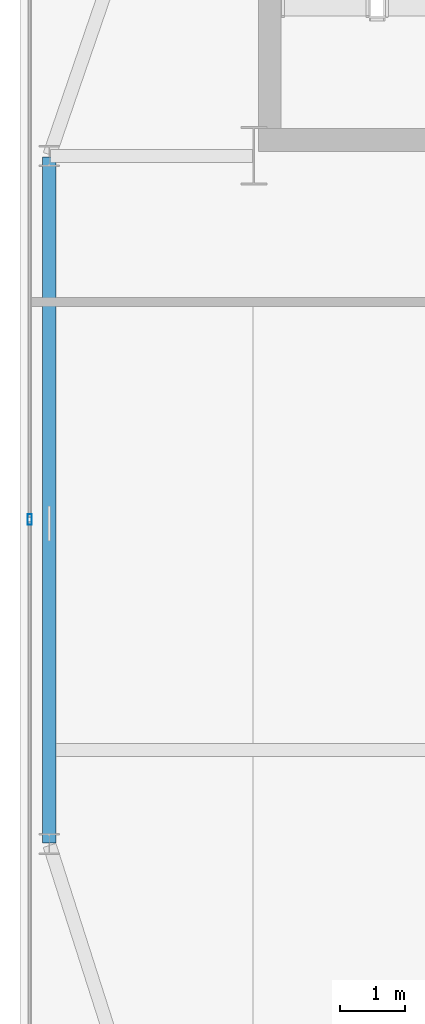
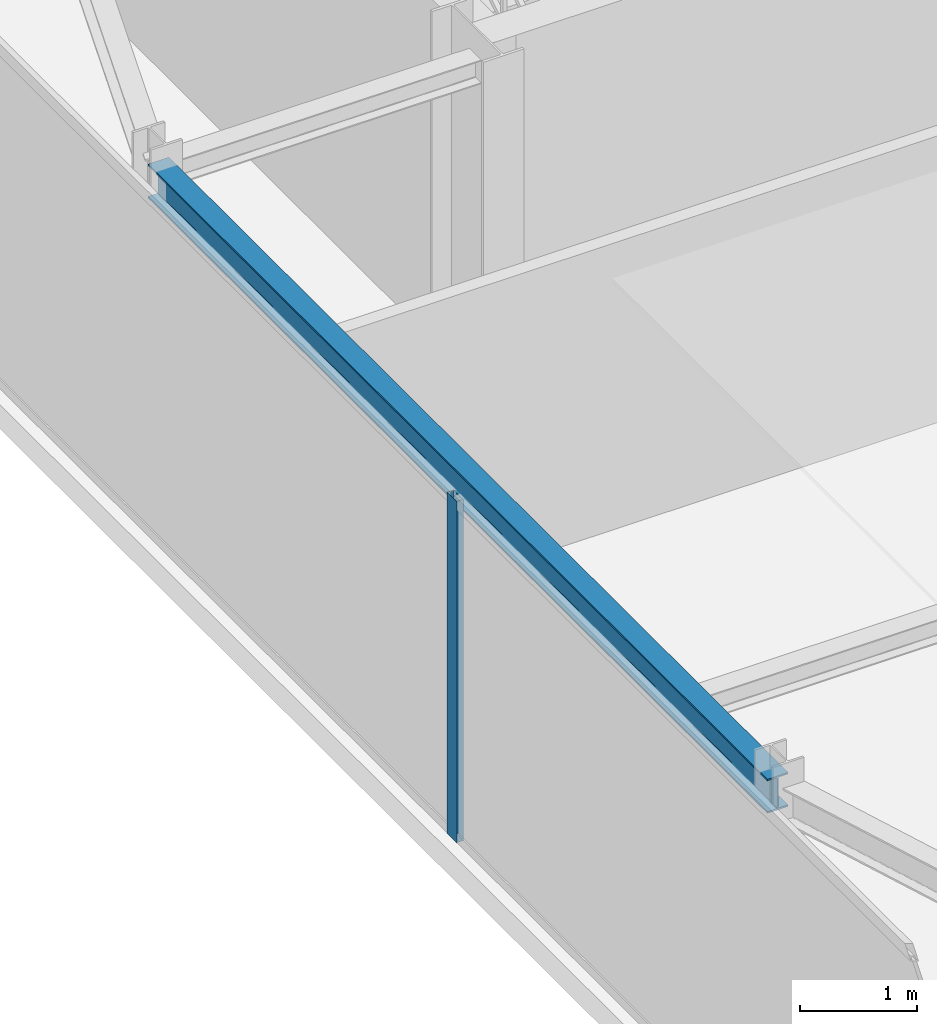
# One storey, part 9 of 24: 1 beam, 1 member, 1 element without a shape of its own.
"""IFC4 building model written with IfcOpenShell, lengths in metres."""

import ifcopenshell
import ifcopenshell.guid

model = None  # the IFC model being written
_history = None  # IfcOwnerHistory: only IFC2X3 demands one
_inside = {}  # id of a spatial element -> (the spatial element, [elements in it])
_under = {}  # id of a project, library or spatial element -> (it, [spatial elements below it])
_declared = {}  # id of a project -> (the project, [libraries it declares])
_typed = {}  # id of a type object -> (the type object, [elements of that type])
_made_of = {}  # id of a material, layer set ... -> (it, [elements and type objects made of it])


def new_model(schema):
    """Start an empty IFC model of exactly this schema.

    Asked for "IFC4X3", IfcOpenShell would pick the latest addendum, in which some entities
    have other attributes; the version numbers below select the first issue.
    IFC2X3 requires an IfcOwnerHistory on every rooted entity: one is made here for all.
    """
    global model, _history
    if schema == "IFC4X3":
        model = ifcopenshell.file(schema_version=(4, 3, 0, 0))
    else:
        model = ifcopenshell.file(schema=schema)
    _inside.clear()
    _under.clear()
    _declared.clear()
    _typed.clear()
    _made_of.clear()
    _history = None
    if model.schema == "IFC2X3":
        org = make("IfcOrganization", Name="unknown")
        user = make(
            "IfcPersonAndOrganization",
            ThePerson=make("IfcPerson", FamilyName="unknown"),
            TheOrganization=org,
        )
        app = make(
            "IfcApplication",
            ApplicationDeveloper=org,
            Version="unknown",
            ApplicationFullName="unknown",
            ApplicationIdentifier="unknown",
        )
        _history = make(
            "IfcOwnerHistory",
            OwningUser=user,
            OwningApplication=app,
            ChangeAction="ADDED",
            CreationDate=0,
        )
    return model


def make(cls, **values):
    """One entity of the class cls with the attributes given. An attribute that is None is left unset."""
    return model.create_entity(
        cls, **{name: value for name, value in values.items() if value is not None}
    )


def rooted(cls, **values):
    """An entity with a GlobalId (a new one), such as an element, a storey or a relation."""
    return make(cls, GlobalId=ifcopenshell.guid.new(), OwnerHistory=_history, **values)


def si_unit(unit_type, name, prefix=None):
    """IfcSIUnit, for example si_unit("LENGTHUNIT", "METRE", prefix="MILLI")."""
    return make("IfcSIUnit", UnitType=unit_type, Prefix=prefix, Name=name)


def assignment(units):
    """IfcUnitAssignment: the units of a project."""
    return None if units is None else make("IfcUnitAssignment", Units=units)


def point(xyz):
    """IfcCartesianPoint."""
    return None if xyz is None else make("IfcCartesianPoint", Coordinates=xyz)


def direction(xyz):
    """IfcDirection."""
    return None if xyz is None else make("IfcDirection", DirectionRatios=xyz)


def frame(location, z_axis=None, x_axis=None):
    """IfcAxis2Placement3D, a coordinate frame: its origin and axes. An axis left out is left unset."""
    return make(
        "IfcAxis2Placement3D",
        Location=point(location),
        Axis=direction(z_axis),
        RefDirection=direction(x_axis),
    )


def frame_2d(location, x_axis=None):
    """IfcAxis2Placement2D, a coordinate frame in the plane: its origin and x axis."""
    return make(
        "IfcAxis2Placement2D", Location=point(location), RefDirection=direction(x_axis)
    )


def origin():
    """The frame at (0, 0, 0) with its axes left unset."""
    return frame((0.0, 0.0, 0.0))


def origin_2d():
    """The frame at (0, 0) in the plane with its x axis left unset."""
    return frame_2d((0.0, 0.0))


def place(relative_to, where):
    """IfcLocalPlacement: puts the frame where relative to a parent placement (None: the world)."""
    return make(
        "IfcLocalPlacement", PlacementRelTo=relative_to, RelativePlacement=where
    )


def context(
    kind, dimensions, precision=None, world=None, true_north=None, identifier=None
):
    """IfcGeometricRepresentationContext, for example the 3D "Model" context."""
    return make(
        "IfcGeometricRepresentationContext",
        ContextIdentifier=identifier,
        ContextType=kind,
        CoordinateSpaceDimension=dimensions,
        Precision=precision,
        WorldCoordinateSystem=world,
        TrueNorth=true_north,
    )


def subcontext(parent, identifier, kind, view, scale=None):
    """IfcGeometricRepresentationSubContext, for example "Body" below "Model"."""
    return make(
        "IfcGeometricRepresentationSubContext",
        ContextIdentifier=identifier,
        ContextType=kind,
        ParentContext=parent,
        TargetScale=scale,
        TargetView=view,
    )


def project(units=None, contexts=None):
    """IfcProject with its units and contexts."""
    return rooted(
        "IfcProject",
        Name="project",
        RepresentationContexts=contexts,
        UnitsInContext=assignment(units),
    )


def spatial(cls, under=None, at=None, **own):
    """A site, building, storey or space (cls), placed at a placement, below another one or the project."""
    s = rooted(cls, ObjectPlacement=at, **own)
    if under is not None:
        _under.setdefault(under.id(), (under, []))[1].append(s)
    return s


def profile(cls, at=None, kind="AREA", **sizes):
    """A parametric profile (cls). Its sizes go by their IFC names, for example OverallWidth=200.0."""
    return make(cls, ProfileType=kind, Position=at, **sizes)


def hollow_rectangle(**sizes):
    """IfcRectangleHollowProfileDef."""
    return profile("IfcRectangleHollowProfileDef", **sizes)


def i_section(**sizes):
    """IfcIShapeProfileDef."""
    return profile("IfcIShapeProfileDef", **sizes)


def extrude(swept, where, along, depth):
    """IfcExtrudedAreaSolid: the profile swept, set in the frame where, extruded along a direction by depth."""
    return make(
        "IfcExtrudedAreaSolid",
        SweptArea=swept,
        Position=where,
        ExtrudedDirection=direction(along),
        Depth=depth,
    )


def shape(context_of_items, identifier, shape_type, items):
    """IfcShapeRepresentation: the items that make up one representation, for example the "Body"."""
    return make(
        "IfcShapeRepresentation",
        ContextOfItems=context_of_items,
        RepresentationIdentifier=identifier,
        RepresentationType=shape_type,
        Items=items,
    )


def source(mapping_origin, context_of_items, identifier, shape_type, items):
    """IfcRepresentationMap: a shape defined once, which mapped items show again and again."""
    return make(
        "IfcRepresentationMap",
        MappingOrigin=mapping_origin,
        MappedRepresentation=shape(context_of_items, identifier, shape_type, items),
    )


def transform(
    local_origin,
    x_axis=None,
    y_axis=None,
    z_axis=None,
    scale=None,
    scale2=None,
    scale3=None,
    uniform=True,
):
    """IfcCartesianTransformationOperator3D, or its non-uniform kind. x_axis, y_axis, z_axis: its Axis1, 2, 3."""
    if uniform:
        return make(
            "IfcCartesianTransformationOperator3D",
            Axis1=direction(x_axis),
            Axis2=direction(y_axis),
            LocalOrigin=point(local_origin),
            Scale=scale,
            Axis3=direction(z_axis),
        )
    return make(
        "IfcCartesianTransformationOperator3DnonUniform",
        Axis1=direction(x_axis),
        Axis2=direction(y_axis),
        LocalOrigin=point(local_origin),
        Scale=scale,
        Axis3=direction(z_axis),
        Scale2=scale2,
        Scale3=scale3,
    )


def mapped(mapping_source, mapping_target):
    """IfcMappedItem: shows the shape of a source again, moved by a transform."""
    return make(
        "IfcMappedItem", MappingSource=mapping_source, MappingTarget=mapping_target
    )


def material(Name=None, Category=None):
    """IfcMaterial."""
    return make("IfcMaterial", Name=Name, Category=Category)


def layer(
    of_material, thickness, ventilated=None, Name=None, Category=None, Priority=None
):
    """IfcMaterialLayer: one layer of a wall or slab, of a material (None: an air gap)."""
    return make(
        "IfcMaterialLayer",
        Material=of_material,
        LayerThickness=thickness,
        IsVentilated=ventilated,
        Name=Name,
        Category=Category,
        Priority=Priority,
    )


def layer_set(layers, Name=None):
    """IfcMaterialLayerSet."""
    return make("IfcMaterialLayerSet", MaterialLayers=layers, LayerSetName=Name)


def material_profile(
    of_material, cross_section, Name=None, Category=None, Priority=None
):
    """IfcMaterialProfile: a cross section and its material."""
    return make(
        "IfcMaterialProfile",
        Name=Name,
        Material=of_material,
        Profile=cross_section,
        Priority=Priority,
        Category=Category,
    )


def profile_set(profiles, Name=None, composite=None):
    """IfcMaterialProfileSet."""
    return make(
        "IfcMaterialProfileSet",
        Name=Name,
        MaterialProfiles=profiles,
        CompositeProfile=composite,
    )


def made_of(thing, what):
    """Note that an element or type object is made of a material, layer set ...; save() writes the relation."""
    if what is not None:
        _made_of.setdefault(what.id(), (what, []))[1].append(thing)
    return thing


def type_object(cls, material=None, **own):
    """A type object (cls), such as IfcWallType, which elements share."""
    return made_of(rooted(cls, **own), material)


def type_shapes(of_type, sources):
    """Give a type object the sources (RepresentationMaps) that its elements show as mapped items."""
    of_type.RepresentationMaps = sources


def element(
    cls,
    number,
    at=None,
    inside=None,
    cuts=None,
    type_object=None,
    material=None,
    context=None,
    identifier="Body",
    shape_type=None,
    held_by="IfcProductDefinitionShape",
    body=None,
    shapes=None,
    **own,
):
    """One element of the class cls, such as IfcWall. Its Tag is "e" and its number.

    at: its placement. inside: the storey or other place that contains it. cuts: it is an
    opening in that element (IfcRelVoidsElement). A single representation is given by context,
    identifier, shape_type and body (its items); several are given by shapes. held_by: the class
    of the entity that holds the representations. save() writes the other relations.
    """
    e = rooted(cls, Tag="e%d" % number, ObjectPlacement=at, **own)
    if body is not None:
        shapes = [shape(context, identifier, shape_type, body)]
    if shapes is not None:
        e.Representation = make(held_by, Representations=shapes)
    if inside is not None:
        _inside.setdefault(inside.id(), (inside, []))[1].append(e)
    if cuts is not None:
        rooted(
            "IfcRelVoidsElement", RelatingBuildingElement=cuts, RelatedOpeningElement=e
        )
    if type_object is not None:
        _typed.setdefault(type_object.id(), (type_object, []))[1].append(e)
    return made_of(e, material)


def aggregate(whole, parts):
    """IfcRelAggregates: a whole, such as a stair, and the parts it consists of."""
    return rooted("IfcRelAggregates", RelatingObject=whole, RelatedObjects=parts)


def save(model, path):
    """Write the relations noted so far, then the file.

    IfcRelAggregates (storeys below a building ...), IfcRelContainedInSpatialStructure (elements
    in a storey), IfcRelDefinesByType, IfcRelAssociatesMaterial and IfcRelDeclares: one each for
    every whole, place, type object, material and project.
    """
    for whole, parts in _under.values():
        aggregate(whole, parts)
    for where, things in _inside.values():
        rooted(
            "IfcRelContainedInSpatialStructure",
            RelatedElements=things,
            RelatingStructure=where,
        )
    for kind, things in _typed.values():
        rooted("IfcRelDefinesByType", RelatedObjects=things, RelatingType=kind)
    for what, things in _made_of.values():
        rooted("IfcRelAssociatesMaterial", RelatedObjects=things, RelatingMaterial=what)
    for by, libraries in _declared.values():
        rooted("IfcRelDeclares", RelatingContext=by, RelatedDefinitions=libraries)
    model.write(path)


model = new_model("IFC4")

# Units and contexts
model_context = context("Model", 3, precision=1e-05, world=origin(), true_north=direction((0.0, 1.0)))
body_context = subcontext(model_context, "Body", "Model", "MODEL_VIEW")
ifc_project = project(units=[si_unit("LENGTHUNIT", "METRE"), si_unit("AREAUNIT", "SQUARE_METRE"), si_unit("VOLUMEUNIT", "CUBIC_METRE"), si_unit("PLANEANGLEUNIT", "RADIAN"), si_unit("MASSUNIT", "GRAM", prefix="KILO")], contexts=[model_context])

# Site, building, storey
site_placement = place(None, origin())
site = spatial("IfcSite", under=ifc_project, at=site_placement, CompositionType="ELEMENT")
building_placement = place(site_placement, origin())
building = spatial("IfcBuilding", under=site, at=building_placement, Name="Varnel Quay Broadcast Tower", CompositionType="ELEMENT")
storey_placement = place(building_placement, frame((0.0, 0.0, 281.199951171875)))
storey = spatial("IfcBuildingStorey", under=building, at=storey_placement, Name="L70", CompositionType="ELEMENT", Elevation=281.199951171875)

# Beam
ifc_material_1 = material(Name="Structural Steel CSA G40.21 350W", Category="steel")
ifc_material_profile_1 = material_profile(ifc_material_1, i_section(OverallWidth=0.205078125, OverallDepth=0.35400390625, WebThickness=0.009521484375, FlangeThickness=0.016845703125, FilletRadius=0.012939453125, at=origin_2d()), Name="W360X79")
ifc_profile_set_1 = profile_set([ifc_material_profile_1], Name="Structural Steel CSA G40.21 350W")
beam_type = type_object("IfcBeamType", Name="Beam_W360X79", PredefinedType="SPANDREL", material=ifc_profile_set_1)
shared_shape_1 = source(origin(), body_context, "Body", "SweptSolid", [
    extrude(i_section(OverallWidth=0.205078125, OverallDepth=0.35400390625, WebThickness=0.009521484375, FlangeThickness=0.016845703125, FilletRadius=0.012939453125, at=origin_2d()), origin(), (0.0, 0.0, 1.0), 10.56005859375),
])
type_shapes(beam_type, [shared_shape_1])
beam_placement = place(storey_placement, frame((12.449951171875, 25.02001953125, 3.373046875), z_axis=(0.0, 1.0, 0.0), x_axis=(-1.0, 0.0, 0.0)))
element("IfcBeam", 1, at=beam_placement, inside=storey, type_object=beam_type, Name="L70 West Spandrel TC-W1-TC-W2", PredefinedType="SPANDREL", context=body_context, shape_type="MappedRepresentation", body=[
    mapped(shared_shape_1, transform((0.0, 0.0, 0.0), x_axis=(1.0, 0.0, 0.0), y_axis=(0.0, 1.0, 0.0), z_axis=(0.0, 0.0, 1.0), scale=1.0)),
])

# Curtain wall, member
ifc_material_2 = material(Name="Anodised Bronze Aluminium 6063-T6", Category="aluminium")
ifc_layer = layer(ifc_material_2, 0.18994140625, Name="Anodised Bronze Aluminium 6063-T6")
ifc_layer_set = layer_set([ifc_layer], Name="Anodised Bronze Aluminium 6063-T6")
curtain_wall_type = type_object("IfcCurtainWallType", Name="CW_UpperTower", PredefinedType="NOTDEFINED", material=ifc_layer_set)
curtain_wall_placement = place(storey_placement, origin())
curtain_wall = element("IfcCurtainWall", 2, at=curtain_wall_placement, inside=storey, type_object=curtain_wall_type, Name="L70 West Unitised Curtain Wall", PredefinedType="NOTDEFINED")
ifc_material_profile_2 = material_profile(ifc_material_2, hollow_rectangle(XDim=0.06494140625, YDim=0.1650390625, WallThickness=0.00341796875, at=origin_2d()), Name="ALU65X165X3.5")
ifc_profile_set_2 = profile_set([ifc_material_profile_2], Name="Anodised Bronze Aluminium 6063-T6")
member_type = type_object("IfcMemberType", Name="Mull_CWS-03", PredefinedType="MULLION", material=ifc_profile_set_2)
shared_shape_2 = source(origin(), body_context, "Body", "SweptSolid", [
    extrude(hollow_rectangle(XDim=0.06494140625, YDim=0.1650390625, WallThickness=0.00341796875, at=origin_2d()), origin(), (0.0, 0.0, 1.0), 3.550048828125),
])
type_shapes(member_type, [shared_shape_2])
member_placement = place(storey_placement, frame((12.14990234375, 30.0, 0.0), z_axis=(0.0, 0.0, 1.0), x_axis=(-1.0, 0.0, 0.0)))
member = element("IfcMember", 3, at=member_placement, type_object=member_type, Name="CWS-03 mullion 2", PredefinedType="MULLION", context=body_context, shape_type="MappedRepresentation", body=[
    mapped(shared_shape_2, transform((0.0, 0.0, 0.0), x_axis=(1.0, 0.0, 0.0), y_axis=(0.0, 1.0, 0.0), z_axis=(0.0, 0.0, 1.0), scale=1.0)),
])
aggregate(curtain_wall, [member])

save(model, "model.ifc")
